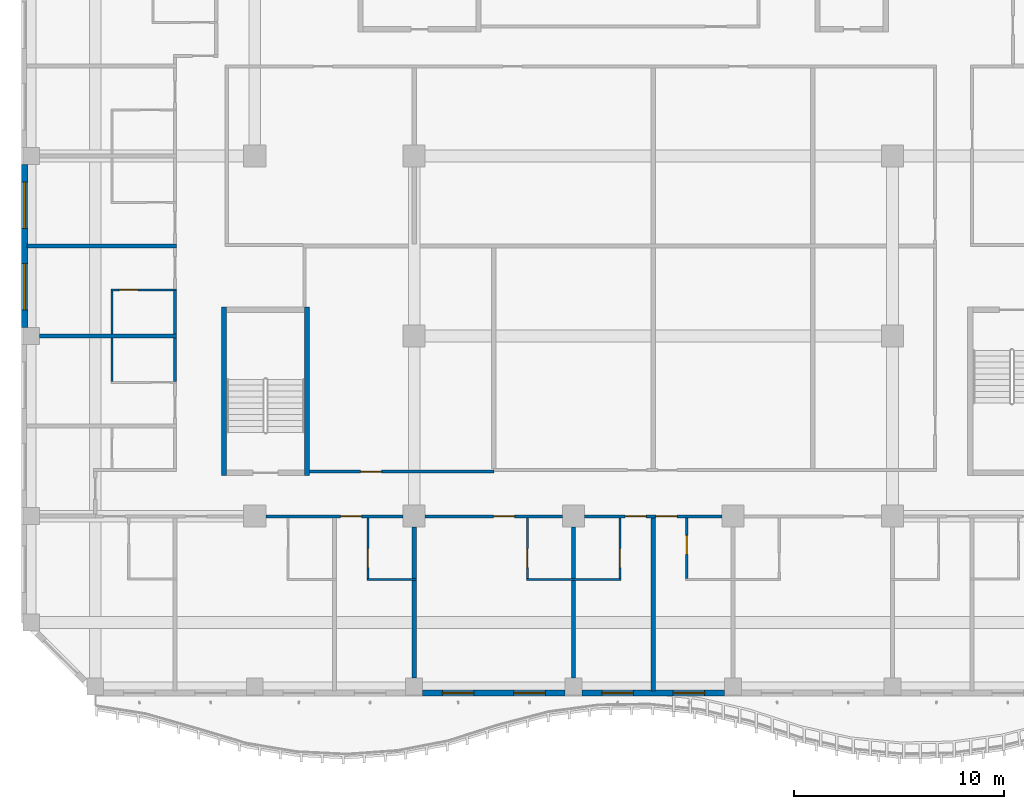
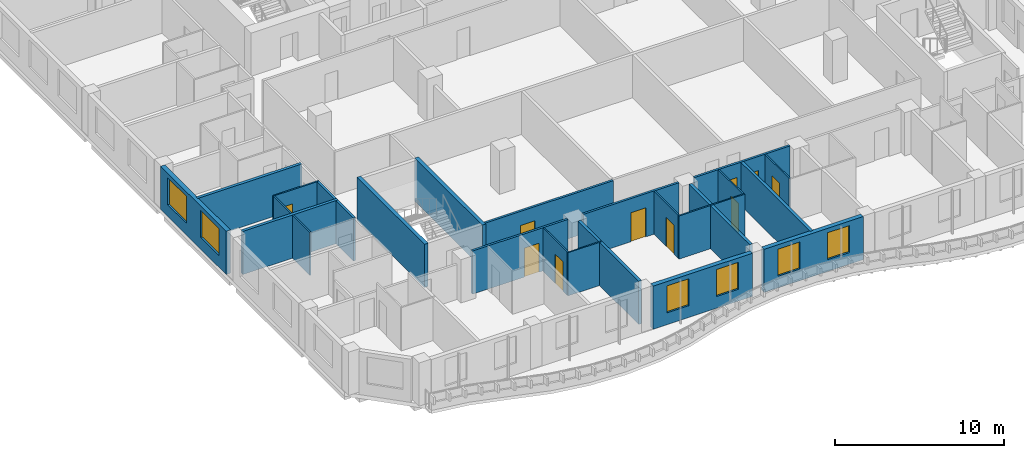
# One storey, part 3 of 21: 27 walls, 10 doors, 6 windows, 16 openings.
"""IFC4 building model written with IfcOpenShell, lengths in metres."""

from ifc_helpers import new_model, si_unit, direction, frame, frame_2d, origin, place, context, subcontext, project, spatial, rectangle, extrude, source, transform, mapped, material, layer, layer_set, type_object, element, fill, save


model = new_model("IFC4")

# Units and contexts
model_context = context("Model", 3, precision=1e-05, world=origin(), true_north=direction((0.0, 1.0)))
body_context = subcontext(model_context, "Body", "Model", "MODEL_VIEW")
ifc_project = project(units=[si_unit("LENGTHUNIT", "METRE"), si_unit("AREAUNIT", "SQUARE_METRE"), si_unit("VOLUMEUNIT", "CUBIC_METRE"), si_unit("PLANEANGLEUNIT", "RADIAN"), si_unit("MASSUNIT", "GRAM", prefix="KILO")], contexts=[model_context])

# Site, building, storey
site_placement = place(None, origin())
site = spatial("IfcSite", under=ifc_project, at=site_placement, CompositionType="ELEMENT")
building_placement = place(site_placement, origin())
building = spatial("IfcBuilding", under=site, at=building_placement, Name="Kilnfold Tower and Market Hall", CompositionType="ELEMENT")
storey_placement = place(building_placement, frame((0.0, 0.0, 185.5)))
storey = spatial("IfcBuildingStorey", under=building, at=storey_placement, Name="L44", CompositionType="ELEMENT", Elevation=185.5)

# Wall, opening, door
ifc_material_1 = material(Name="Gypsum board on steel studs", Category="steel")
ifc_layer_1 = layer(ifc_material_1, 0.14990234375)
ifc_layer_set_1 = layer_set([ifc_layer_1], Name="Gypsum board on steel studs")
wall_type_1 = type_object("IfcWallType", Name="WALL CORRIDOR 150", PredefinedType="PARTITIONING", material=ifc_layer_set_1)
wall_1_placement = place(storey_placement, frame((-15.64208984375, -17.699951171875, 0.0), z_axis=(0.0, 0.0, 1.0), x_axis=(1.0, 0.0, 0.0)))
wall_1 = element("IfcWall", 1, at=wall_1_placement, inside=storey, type_object=wall_type_1, Name="Partition LY27.2", PredefinedType="PARTITIONING", context=body_context, shape_type="SweptSolid", body=[
    extrude(rectangle(XDim=6.5341796875, YDim=0.14990234375, at=frame_2d((3.26708984375, 0.0))), origin(), (0.0, 0.0, 1.0), 3.1201171875),
])
opening_1_placement = place(wall_1_placement, frame((3.56298828125, 0.0, 0.0)))
opening_1 = element("IfcOpeningElement", 2, at=opening_1_placement, cuts=wall_1, Name="Opening D1", PredefinedType="OPENING", context=body_context, shape_type="SweptSolid", body=[
    extrude(rectangle(XDim=1.0, YDim=2.10009765625, at=frame_2d((0.5, 1.050048828125))), frame((0.0, 0.0849609375, 0.0), z_axis=(0.0, -1.0, 0.0), x_axis=(1.0, 0.0, 0.0)), (0.0, 0.0, 1.0), 0.169921875),
])
ifc_material_2 = material(Name="Timber veneer door leaf in steel frame", Category="steel")
door_type_1 = type_object("IfcDoorType", Name="DOOR ENTRY 1000 X2100", OperationType="NOTDEFINED", PredefinedType="DOOR", material=ifc_material_2)
door_1_placement = place(opening_1_placement, origin())
door_1 = element("IfcDoor", 3, at=door_1_placement, inside=storey, type_object=door_type_1, Name="Door D1", OperationType="SINGLE_SWING_RIGHT", OverallHeight=2.10009765625, OverallWidth=1.0, PredefinedType="DOOR", context=body_context, shape_type="SweptSolid", body=[
    extrude(rectangle(XDim=1.0, YDim=2.10009765625, at=frame_2d((0.5, 1.050048828125))), frame((0.0, 0.02490234375, 0.0), z_axis=(0.0, -1.0, 0.0), x_axis=(1.0, 0.0, 0.0)), (0.0, 0.0, 1.0), 0.050048828125),
])
fill(opening_1, door_1)

wall_2_placement = place(storey_placement, frame((-8.05810546875, -17.699951171875, 0.0), z_axis=(0.0, 0.0, 1.0), x_axis=(1.0, 0.0, 0.0)))
wall_2 = element("IfcWall", 4, at=wall_2_placement, inside=storey, type_object=wall_type_1, Name="Partition LY27.3", PredefinedType="PARTITIONING", context=body_context, shape_type="SweptSolid", body=[
    extrude(rectangle(XDim=6.533203125, YDim=0.14990234375, at=frame_2d((3.2666015625, 0.0))), origin(), (0.0, 0.0, 1.0), 3.1201171875),
])
opening_2_placement = place(wall_2_placement, frame((3.260009765625, 0.0, 0.0)))
opening_2 = element("IfcOpeningElement", 5, at=opening_2_placement, cuts=wall_2, Name="Opening D1", PredefinedType="OPENING", context=body_context, shape_type="SweptSolid", body=[
    extrude(rectangle(XDim=1.0, YDim=2.10009765625, at=frame_2d((0.5, 1.050048828125))), frame((0.0, 0.0849609375, 0.0), z_axis=(0.0, -1.0, 0.0), x_axis=(1.0, 0.0, 0.0)), (0.0, 0.0, 1.0), 0.169921875),
])
door_2_placement = place(opening_2_placement, origin())
door_2 = element("IfcDoor", 6, at=door_2_placement, inside=storey, type_object=door_type_1, Name="Door D1", OperationType="SINGLE_SWING_LEFT", OverallHeight=2.10009765625, OverallWidth=1.0, PredefinedType="DOOR", context=body_context, shape_type="SweptSolid", body=[
    extrude(rectangle(XDim=1.0, YDim=2.10009765625, at=frame_2d((0.5, 1.050048828125))), frame((0.0, 0.02490234375, 0.0), z_axis=(0.0, -1.0, 0.0), x_axis=(1.0, 0.0, 0.0)), (0.0, 0.0, 1.0), 0.050048828125),
])
fill(opening_2, door_2)

# Wall, openings, doors
wall_3_placement = place(storey_placement, frame((-0.47509765625, -17.699951171875, 0.0), z_axis=(0.0, 0.0, 1.0), x_axis=(1.0, 0.0, 0.0)))
wall_3 = element("IfcWall", 7, at=wall_3_placement, inside=storey, type_object=wall_type_1, Name="Partition LY27.4", PredefinedType="PARTITIONING", context=body_context, shape_type="SweptSolid", body=[
    extrude(rectangle(XDim=6.533203125, YDim=0.14990234375, at=frame_2d((3.2666015625, 0.0))), origin(), (0.0, 0.0, 1.0), 3.1201171875),
])
opening_3_placement = place(wall_3_placement, frame((1.926025390625, 0.0, 0.0)))
opening_3 = element("IfcOpeningElement", 8, at=opening_3_placement, cuts=wall_3, Name="Opening D1", PredefinedType="OPENING", context=body_context, shape_type="SweptSolid", body=[
    extrude(rectangle(XDim=1.0, YDim=2.10009765625, at=frame_2d((0.5, 1.050048828125))), frame((0.0, 0.0849609375, 0.0), z_axis=(0.0, -1.0, 0.0), x_axis=(1.0, 0.0, 0.0)), (0.0, 0.0, 1.0), 0.169921875),
])
opening_4_placement = place(wall_3_placement, frame((3.386962890625, 0.0, 0.0)))
opening_4 = element("IfcOpeningElement", 9, at=opening_4_placement, cuts=wall_3, Name="Opening D1", PredefinedType="OPENING", context=body_context, shape_type="SweptSolid", body=[
    extrude(rectangle(XDim=1.0, YDim=2.10009765625, at=frame_2d((0.5, 1.050048828125))), frame((0.0, 0.0849609375, 0.0), z_axis=(0.0, -1.0, 0.0), x_axis=(1.0, 0.0, 0.0)), (0.0, 0.0, 1.0), 0.169921875),
])
door_3_placement = place(opening_3_placement, origin())
door_3 = element("IfcDoor", 10, at=door_3_placement, inside=storey, type_object=door_type_1, Name="Door D1", OperationType="SINGLE_SWING_RIGHT", OverallHeight=2.10009765625, OverallWidth=1.0, PredefinedType="DOOR", context=body_context, shape_type="SweptSolid", body=[
    extrude(rectangle(XDim=1.0, YDim=2.10009765625, at=frame_2d((0.5, 1.050048828125))), frame((0.0, 0.02490234375, 0.0), z_axis=(0.0, -1.0, 0.0), x_axis=(1.0, 0.0, 0.0)), (0.0, 0.0, 1.0), 0.050048828125),
])
fill(opening_3, door_3)
door_4_placement = place(opening_4_placement, origin())
door_4 = element("IfcDoor", 11, at=door_4_placement, inside=storey, type_object=door_type_1, Name="Door D1", OperationType="SINGLE_SWING_LEFT", OverallHeight=2.10009765625, OverallWidth=1.0, PredefinedType="DOOR", context=body_context, shape_type="SweptSolid", body=[
    extrude(rectangle(XDim=1.0, YDim=2.10009765625, at=frame_2d((0.5, 1.050048828125))), frame((0.0, 0.02490234375, 0.0), z_axis=(0.0, -1.0, 0.0), x_axis=(1.0, 0.0, 0.0)), (0.0, 0.0, 1.0), 0.050048828125),
])
fill(opening_4, door_4)

# Walls
for number, where, z_axis, x_axis, name in (
    (12, (-19.958984375, -11.284912109375, 0.0), (0.0, 0.0, 1.0), (0.0, 1.0, 0.0), "Partition LY27.11"),
    (13, (-19.958984375, -9.034912109375, 0.0), (0.0, 0.0, 1.0), (0.0, 1.0, 0.0), "Partition LY27.13"),
):
    element("IfcWall", number, at=place(storey_placement, frame(where, z_axis=z_axis, x_axis=x_axis)), inside=storey, type_object=wall_type_1, Name=name, PredefinedType="PARTITIONING", context=body_context, shape_type="SweptSolid", body=[
        extrude(rectangle(XDim=2.06982421875, YDim=0.14990234375, at=frame_2d((1.034912109375, 0.0))), origin(), (0.0, 0.0, 1.0), 3.1201171875),
    ])

# Wall, opening, door
wall_4_placement = place(storey_placement, frame((-4.781982421875, -15.574951171875, 0.0), z_axis=(0.0, 0.0, 1.0), x_axis=(-1.0, 0.0, 0.0)))
wall_4 = element("IfcWall", 14, at=wall_4_placement, inside=storey, type_object=wall_type_1, Name="Partition LY27.47", PredefinedType="PARTITIONING", context=body_context, shape_type="SweptSolid", body=[
    extrude(rectangle(XDim=8.76806640625, YDim=0.14990234375, at=frame_2d((4.384033203125, 0.0))), origin(), (0.0, 0.0, 1.0), 3.1201171875),
])
opening_5_placement = place(wall_4_placement, frame((5.347900390625, 0.0, 0.0)))
opening_5 = element("IfcOpeningElement", 15, at=opening_5_placement, cuts=wall_4, Name="Opening D4", PredefinedType="OPENING", context=body_context, shape_type="SweptSolid", body=[
    extrude(rectangle(XDim=1.0, YDim=2.10009765625, at=frame_2d((0.5, 1.050048828125))), frame((0.0, 0.0849609375, 0.0), z_axis=(0.0, -1.0, 0.0), x_axis=(1.0, 0.0, 0.0)), (0.0, 0.0, 1.0), 0.169921875),
])
ifc_material_3 = material(Name="Timber veneer door leaf in steel frame", Category="steel")
door_type_2 = type_object("IfcDoorType", Name="DOOR SERVICE 1000 X2100", OperationType="NOTDEFINED", PredefinedType="DOOR", material=ifc_material_3)
door_5_placement = place(opening_5_placement, origin())
door_5 = element("IfcDoor", 16, at=door_5_placement, inside=storey, type_object=door_type_2, Name="Door D4", OperationType="SINGLE_SWING_RIGHT", OverallHeight=2.10009765625, OverallWidth=1.0, PredefinedType="DOOR", context=body_context, shape_type="SweptSolid", body=[
    extrude(rectangle(XDim=1.0, YDim=2.10009765625, at=frame_2d((0.5, 1.050048828125))), frame((0.0, 0.02490234375, 0.0), z_axis=(0.0, -1.0, 0.0), x_axis=(1.0, 0.0, 0.0)), (0.0, 0.0, 1.0), 0.050048828125),
])
fill(opening_5, door_5)

ifc_material_4 = material(Name="Gypsum board on steel studs", Category="steel")
ifc_layer_2 = layer(ifc_material_4, 0.10009765625)
ifc_layer_set_2 = layer_set([ifc_layer_2], Name="Gypsum board on steel studs")
wall_type_2 = type_object("IfcWallType", Name="WALL PARTITION 100", PredefinedType="PARTITIONING", material=ifc_layer_set_2)
wall_5_placement = place(storey_placement, frame((-10.782958984375, -20.652099609375, 0.0), z_axis=(0.0, 0.0, 1.0), x_axis=(0.0, 1.0, 0.0)))
wall_5 = element("IfcWall", 17, at=wall_5_placement, inside=storey, type_object=wall_type_2, Name="Partition LY27.59", PredefinedType="PARTITIONING", context=body_context, shape_type="SweptSolid", body=[
    extrude(rectangle(XDim=2.875, YDim=0.10009765625, at=frame_2d((1.4375, 0.0))), origin(), (0.0, 0.0, 1.0), 3.1201171875),
])
opening_6_placement = place(wall_5_placement, frame((0.514892578125, 0.0, 0.0)))
opening_6 = element("IfcOpeningElement", 18, at=opening_6_placement, cuts=wall_5, Name="Opening D3", PredefinedType="OPENING", context=body_context, shape_type="SweptSolid", body=[
    extrude(rectangle(XDim=0.89990234375, YDim=2.10009765625, at=frame_2d((0.449951171875, 1.050048828125))), frame((0.0, 0.06005859375, 0.0), z_axis=(0.0, -1.0, 0.0), x_axis=(1.0, 0.0, 0.0)), (0.0, 0.0, 1.0), 0.1201171875),
])
ifc_material_5 = material(Name="Timber veneer door leaf in steel frame", Category="steel")
door_type_3 = type_object("IfcDoorType", Name="DOOR WC 900 X2100", OperationType="NOTDEFINED", PredefinedType="DOOR", material=ifc_material_5)
door_6_placement = place(opening_6_placement, origin())
door_6 = element("IfcDoor", 19, at=door_6_placement, inside=storey, type_object=door_type_3, Name="Door D3", OperationType="SINGLE_SWING_RIGHT", OverallHeight=2.10009765625, OverallWidth=0.89990234375, PredefinedType="DOOR", context=body_context, shape_type="SweptSolid", body=[
    extrude(rectangle(XDim=0.89990234375, YDim=2.10009765625, at=frame_2d((0.449951171875, 1.050048828125))), frame((0.0, 0.02490234375, 0.0), z_axis=(0.0, -1.0, 0.0), x_axis=(1.0, 0.0, 0.0)), (0.0, 0.0, 1.0), 0.050048828125),
])
fill(opening_6, door_6)

# Wall
wall_6_placement = place(storey_placement, frame((-10.8330078125, -20.701904296875, 0.0), z_axis=(0.0, 0.0, 1.0), x_axis=(1.0, 0.0, 0.0)))
element("IfcWall", 20, at=wall_6_placement, inside=storey, type_object=wall_type_2, Name="Partition LY27.60", PredefinedType="PARTITIONING", context=body_context, shape_type="SweptSolid", body=[
    extrude(rectangle(XDim=2.35009765625, YDim=0.10009765625, at=frame_2d((1.175048828125, 0.0))), origin(), (0.0, 0.0, 1.0), 3.1201171875),
])

# Wall, opening, door
wall_7_placement = place(storey_placement, frame((-3.199951171875, -20.652099609375, 0.0), z_axis=(0.0, 0.0, 1.0), x_axis=(0.0, 1.0, 0.0)))
wall_7 = element("IfcWall", 21, at=wall_7_placement, inside=storey, type_object=wall_type_2, Name="Partition LY27.63", PredefinedType="PARTITIONING", context=body_context, shape_type="SweptSolid", body=[
    extrude(rectangle(XDim=2.875, YDim=0.10009765625, at=frame_2d((1.4375, 0.0))), origin(), (0.0, 0.0, 1.0), 3.1201171875),
])
opening_7_placement = place(wall_7_placement, frame((0.514892578125, 0.0, 0.0)))
opening_7 = element("IfcOpeningElement", 22, at=opening_7_placement, cuts=wall_7, Name="Opening D3", PredefinedType="OPENING", context=body_context, shape_type="SweptSolid", body=[
    extrude(rectangle(XDim=0.89990234375, YDim=2.10009765625, at=frame_2d((0.449951171875, 1.050048828125))), frame((0.0, 0.06005859375, 0.0), z_axis=(0.0, -1.0, 0.0), x_axis=(1.0, 0.0, 0.0)), (0.0, 0.0, 1.0), 0.1201171875),
])
door_7_placement = place(opening_7_placement, origin())
door_7 = element("IfcDoor", 23, at=door_7_placement, inside=storey, type_object=door_type_3, Name="Door D3", OperationType="SINGLE_SWING_RIGHT", OverallHeight=2.10009765625, OverallWidth=0.89990234375, PredefinedType="DOOR", context=body_context, shape_type="SweptSolid", body=[
    extrude(rectangle(XDim=0.89990234375, YDim=2.10009765625, at=frame_2d((0.449951171875, 1.050048828125))), frame((0.0, 0.02490234375, 0.0), z_axis=(0.0, -1.0, 0.0), x_axis=(1.0, 0.0, 0.0)), (0.0, 0.0, 1.0), 0.050048828125),
])
fill(opening_7, door_7)

# Wall
wall_8_placement = place(storey_placement, frame((-3.25, -20.701904296875, 0.0), z_axis=(0.0, 0.0, 1.0), x_axis=(1.0, 0.0, 0.0)))
element("IfcWall", 24, at=wall_8_placement, inside=storey, type_object=wall_type_2, Name="Partition LY27.64", PredefinedType="PARTITIONING", context=body_context, shape_type="SweptSolid", body=[
    extrude(rectangle(XDim=4.5, YDim=0.10009765625, at=frame_2d((2.25, 0.0))), origin(), (0.0, 0.0, 1.0), 3.1201171875),
])

# Wall, opening, door
wall_9_placement = place(storey_placement, frame((1.199951171875, -17.777099609375, 0.0), z_axis=(0.0, 0.0, 1.0), x_axis=(0.0, -1.0, 0.0)))
wall_9 = element("IfcWall", 25, at=wall_9_placement, inside=storey, type_object=wall_type_2, Name="Partition LY27.67", PredefinedType="PARTITIONING", context=body_context, shape_type="SweptSolid", body=[
    extrude(rectangle(XDim=2.875, YDim=0.10009765625, at=frame_2d((1.4375, 0.0))), origin(), (0.0, 0.0, 1.0), 3.1201171875),
])
opening_8_placement = place(wall_9_placement, frame((1.4599609375, 0.0, 0.0)))
opening_8 = element("IfcOpeningElement", 26, at=opening_8_placement, cuts=wall_9, Name="Opening D3", PredefinedType="OPENING", context=body_context, shape_type="SweptSolid", body=[
    extrude(rectangle(XDim=0.89990234375, YDim=2.10009765625, at=frame_2d((0.449951171875, 1.050048828125))), frame((0.0, 0.06005859375, 0.0), z_axis=(0.0, -1.0, 0.0), x_axis=(1.0, 0.0, 0.0)), (0.0, 0.0, 1.0), 0.1201171875),
])
door_8_placement = place(opening_8_placement, origin())
door_8 = element("IfcDoor", 27, at=door_8_placement, inside=storey, type_object=door_type_3, Name="Door D3", OperationType="SINGLE_SWING_LEFT", OverallHeight=2.10009765625, OverallWidth=0.89990234375, PredefinedType="DOOR", context=body_context, shape_type="SweptSolid", body=[
    extrude(rectangle(XDim=0.89990234375, YDim=2.10009765625, at=frame_2d((0.449951171875, 1.050048828125))), frame((0.0, 0.02490234375, 0.0), z_axis=(0.0, -1.0, 0.0), x_axis=(1.0, 0.0, 0.0)), (0.0, 0.0, 1.0), 0.050048828125),
])
fill(opening_8, door_8)

wall_10_placement = place(storey_placement, frame((4.383056640625, -20.652099609375, 0.0), z_axis=(0.0, 0.0, 1.0), x_axis=(0.0, 1.0, 0.0)))
wall_10 = element("IfcWall", 28, at=wall_10_placement, inside=storey, type_object=wall_type_2, Name="Partition LY27.69", PredefinedType="PARTITIONING", context=body_context, shape_type="SweptSolid", body=[
    extrude(rectangle(XDim=2.875, YDim=0.10009765625, at=frame_2d((1.4375, 0.0))), origin(), (0.0, 0.0, 1.0), 3.1201171875),
])
opening_9_placement = place(wall_10_placement, frame((1.14501953125, 0.0, 0.0)))
opening_9 = element("IfcOpeningElement", 29, at=opening_9_placement, cuts=wall_10, Name="Opening D3", PredefinedType="OPENING", context=body_context, shape_type="SweptSolid", body=[
    extrude(rectangle(XDim=0.89990234375, YDim=2.10009765625, at=frame_2d((0.449951171875, 1.050048828125))), frame((0.0, 0.06005859375, 0.0), z_axis=(0.0, -1.0, 0.0), x_axis=(1.0, 0.0, 0.0)), (0.0, 0.0, 1.0), 0.1201171875),
])
door_9_placement = place(opening_9_placement, origin())
door_9 = element("IfcDoor", 30, at=door_9_placement, inside=storey, type_object=door_type_3, Name="Door D3", OperationType="SINGLE_SWING_RIGHT", OverallHeight=2.10009765625, OverallWidth=0.89990234375, PredefinedType="DOOR", context=body_context, shape_type="SweptSolid", body=[
    extrude(rectangle(XDim=0.89990234375, YDim=2.10009765625, at=frame_2d((0.449951171875, 1.050048828125))), frame((0.0, 0.02490234375, 0.0), z_axis=(0.0, -1.0, 0.0), x_axis=(1.0, 0.0, 0.0)), (0.0, 0.0, 1.0), 0.050048828125),
])
fill(opening_9, door_9)

# Wall
wall_11_placement = place(storey_placement, frame((-22.9609375, -11.27490234375, 0.0), z_axis=(0.0, 0.0, 1.0), x_axis=(0.0, 1.0, 0.0)))
element("IfcWall", 31, at=wall_11_placement, inside=storey, type_object=wall_type_2, Name="Partition LY27.86", PredefinedType="PARTITIONING", context=body_context, shape_type="SweptSolid", body=[
    extrude(rectangle(XDim=2.0498046875, YDim=0.10009765625, at=frame_2d((1.02490234375, 0.0))), origin(), (0.0, 0.0, 1.0), 3.1201171875),
])

# Wall, opening, door
wall_12_placement = place(storey_placement, frame((-23.010986328125, -6.925048828125, 0.0), z_axis=(0.0, 0.0, 1.0), x_axis=(1.0, 0.0, 0.0)))
wall_12 = element("IfcWall", 32, at=wall_12_placement, inside=storey, type_object=wall_type_2, Name="Partition LY27.88", PredefinedType="PARTITIONING", context=body_context, shape_type="SweptSolid", body=[
    extrude(rectangle(XDim=3.125, YDim=0.10009765625, at=frame_2d((1.5625, 0.0))), origin(), (0.0, 0.0, 1.0), 3.1201171875),
])
opening_10_placement = place(wall_12_placement, frame((0.403076171875, 0.0, 0.0)))
opening_10 = element("IfcOpeningElement", 33, at=opening_10_placement, cuts=wall_12, Name="Opening D3", PredefinedType="OPENING", context=body_context, shape_type="SweptSolid", body=[
    extrude(rectangle(XDim=0.89990234375, YDim=2.10009765625, at=frame_2d((0.449951171875, 1.050048828125))), frame((0.0, 0.06005859375, 0.0), z_axis=(0.0, -1.0, 0.0), x_axis=(1.0, 0.0, 0.0)), (0.0, 0.0, 1.0), 0.1201171875),
])
door_10_placement = place(opening_10_placement, origin())
door_10 = element("IfcDoor", 34, at=door_10_placement, inside=storey, type_object=door_type_3, Name="Door D3", OperationType="SINGLE_SWING_LEFT", OverallHeight=2.10009765625, OverallWidth=0.89990234375, PredefinedType="DOOR", context=body_context, shape_type="SweptSolid", body=[
    extrude(rectangle(XDim=0.89990234375, YDim=2.10009765625, at=frame_2d((0.449951171875, 1.050048828125))), frame((0.0, 0.02490234375, 0.0), z_axis=(0.0, -1.0, 0.0), x_axis=(1.0, 0.0, 0.0)), (0.0, 0.0, 1.0), 0.050048828125),
])
fill(opening_10, door_10)

# Walls
wall_13_placement = place(storey_placement, frame((-22.9609375, -9.02490234375, 0.0), z_axis=(0.0, 0.0, 1.0), x_axis=(0.0, 1.0, 0.0)))
element("IfcWall", 35, at=wall_13_placement, inside=storey, type_object=wall_type_2, Name="Partition LY27.89", PredefinedType="PARTITIONING", context=body_context, shape_type="SweptSolid", body=[
    extrude(rectangle(XDim=2.0498046875, YDim=0.10009765625, at=frame_2d((1.02490234375, 0.0))), origin(), (0.0, 0.0, 1.0), 3.1201171875),
])
ifc_material_6 = material(Name="Gypsum board on steel studs", Category="steel")
ifc_layer_3 = layer(ifc_material_6, 0.199951171875)
ifc_layer_set_3 = layer_set([ifc_layer_3], Name="Gypsum board on steel studs")
wall_type_3 = type_object("IfcWallType", Name="WALL PARTY 200", PredefinedType="PARTITIONING", material=ifc_layer_set_3)
wall_14_placement = place(storey_placement, frame((-8.5830078125, -25.39990234375, 0.0), z_axis=(0.0, 0.0, 1.0), x_axis=(0.0, 1.0, 0.0)))
element("IfcWall", 36, at=wall_14_placement, inside=storey, type_object=wall_type_3, Name="Partition LY27.61", PredefinedType="PARTITIONING", context=body_context, shape_type="SweptSolid", body=[
    extrude(rectangle(XDim=4.64794921875, YDim=0.199951171875, at=frame_2d((2.323974609375, 0.0))), origin(), (0.0, 0.0, 1.0), 3.1201171875),
])
wall_15_placement = place(storey_placement, frame((-8.5830078125, -20.652099609375, 0.0), z_axis=(0.0, 0.0, 1.0), x_axis=(0.0, 1.0, 0.0)))
element("IfcWall", 37, at=wall_15_placement, inside=storey, type_object=wall_type_3, Name="Partition LY27.62", PredefinedType="PARTITIONING", context=body_context, shape_type="SweptSolid", body=[
    extrude(rectangle(XDim=2.440185546875, YDim=0.199951171875, at=frame_2d((1.22021484375, 0.0))), origin(), (0.0, 0.0, 1.0), 3.1201171875),
])
wall_16_placement = place(storey_placement, frame((-1.0, -25.39990234375, 0.0), z_axis=(0.0, 0.0, 1.0), x_axis=(0.0, 1.0, 0.0)))
element("IfcWall", 38, at=wall_16_placement, inside=storey, type_object=wall_type_3, Name="Partition LY27.65", PredefinedType="PARTITIONING", context=body_context, shape_type="SweptSolid", body=[
    extrude(rectangle(XDim=4.64794921875, YDim=0.199951171875, at=frame_2d((2.323974609375, 0.0))), origin(), (0.0, 0.0, 1.0), 3.1201171875),
])
wall_17_placement = place(storey_placement, frame((-1.0, -20.652099609375, 0.0), z_axis=(0.0, 0.0, 1.0), x_axis=(0.0, 1.0, 0.0)))
element("IfcWall", 39, at=wall_17_placement, inside=storey, type_object=wall_type_3, Name="Partition LY27.66", PredefinedType="PARTITIONING", context=body_context, shape_type="SweptSolid", body=[
    extrude(rectangle(XDim=2.440185546875, YDim=0.199951171875, at=frame_2d((1.22021484375, 0.0))), origin(), (0.0, 0.0, 1.0), 3.1201171875),
])
wall_18_placement = place(storey_placement, frame((2.7919921875, -26.0, 0.0), z_axis=(0.0, 0.0, 1.0), x_axis=(0.0, 1.0, 0.0)))
element("IfcWall", 40, at=wall_18_placement, inside=storey, type_object=wall_type_3, Name="Partition LY27.68", PredefinedType="PARTITIONING", context=body_context, shape_type="SweptSolid", body=[
    extrude(rectangle(XDim=8.222900390625, YDim=0.199951171875, at=frame_2d((4.111328125, 0.0))), origin(), (0.0, 0.0, 1.0), 3.1201171875),
])
wall_19_placement = place(storey_placement, frame((-26.39990234375, -9.125, 0.0), z_axis=(0.0, 0.0, 1.0), x_axis=(1.0, 0.0, 0.0)))
element("IfcWall", 41, at=wall_19_placement, inside=storey, type_object=wall_type_3, Name="Partition LY27.87", PredefinedType="PARTITIONING", context=body_context, shape_type="SweptSolid", body=[
    extrude(rectangle(XDim=6.513916015625, YDim=0.199951171875, at=frame_2d((3.2568359375, 0.0))), origin(), (0.0, 0.0, 1.0), 3.1201171875),
])
wall_20_placement = place(storey_placement, frame((-27.0, -4.843017578125, 0.0), z_axis=(0.0, 0.0, 1.0), x_axis=(1.0, 0.0, 0.0)))
element("IfcWall", 42, at=wall_20_placement, inside=storey, type_object=wall_type_3, Name="Partition LY27.90", PredefinedType="PARTITIONING", context=body_context, shape_type="SweptSolid", body=[
    extrude(rectangle(XDim=7.114013671875, YDim=0.199951171875, at=frame_2d((3.55712890625, 0.0))), origin(), (0.0, 0.0, 1.0), 3.1201171875),
])
ifc_material_7 = material(Name="Concrete C60", Category="concrete")
ifc_layer_4 = layer(ifc_material_7, 0.25)
ifc_layer_set_4 = layer_set([ifc_layer_4], Name="Concrete C60")
wall_type_4 = type_object("IfcWallType", Name="CORE WALL 250 C60", PredefinedType="SHEAR", material=ifc_layer_set_4)
shared_shape_1 = source(origin(), body_context, "Body", "SweptSolid", [
    extrude(rectangle(XDim=8.0, YDim=0.25, at=frame_2d((4.0, 0.0))), origin(), (0.0, 0.0, 1.0), 3.1201171875),
])
for number, where, z_axis, x_axis, name in (
    (43, (-17.625, -15.75, 0.0), (0.0, 0.0, 1.0), (0.0, 1.0, 0.0), "Stair enclosure ST3"),
    (44, (-13.675048828125, -15.75, 0.0), (0.0, 0.0, 1.0), (0.0, 1.0, 0.0), "Stair enclosure ST3"),
):
    element("IfcWall", number, at=place(storey_placement, frame(where, z_axis=z_axis, x_axis=x_axis)), inside=storey, type_object=wall_type_4, Name=name, PredefinedType="SHEAR", context=body_context, shape_type="MappedRepresentation", body=[
        mapped(shared_shape_1, transform((0.0, 0.0, 0.0))),
    ])

# Wall, openings, windows
ifc_material_8 = material(Name="Precast concrete C50/60", Category="concrete")
ifc_layer_5 = layer(ifc_material_8, 0.300048828125)
ifc_layer_set_5 = layer_set([ifc_layer_5], Name="Precast concrete C50/60")
wall_type_5 = type_object("IfcWallType", Name="PRECAST WALL 300", PredefinedType="SOLIDWALL", material=ifc_layer_set_5)
shared_shape_2 = source(origin(), body_context, "Body", "SweptSolid", [
    extrude(rectangle(XDim=6.783447265625, YDim=0.300048828125, at=frame_2d((3.3916015625, 0.0))), origin(), (0.0, 0.0, 1.0), 3.1201171875),
])
wall_21_placement = place(storey_placement, frame((-8.183349609375, -26.10009765625, 0.0), z_axis=(0.0, 0.0, 1.0), x_axis=(1.0, 0.0, 0.0)))
wall_21 = element("IfcWall", 45, at=wall_21_placement, inside=storey, type_object=wall_type_5, Name="External wall L44 S", PredefinedType="SOLIDWALL", context=body_context, shape_type="MappedRepresentation", body=[
    mapped(shared_shape_2, transform((0.0, 0.0, 0.0))),
])
opening_11_placement = place(wall_21_placement, frame((0.94580078125, 0.0, 0.85009765625)))
opening_11 = element("IfcOpeningElement", 46, at=opening_11_placement, cuts=wall_21, Name="Opening W4", PredefinedType="OPENING", context=body_context, shape_type="SweptSolid", body=[
    extrude(rectangle(XDim=1.5, YDim=1.949951171875, at=frame_2d((0.75, 0.97509765625))), frame((0.0, 0.16015625, 0.0), z_axis=(0.0, -1.0, 0.0), x_axis=(1.0, 0.0, 0.0)), (0.0, 0.0, 1.0), 0.320068359375),
])
opening_12_placement = place(wall_21_placement, frame((4.33740234375, 0.0, 0.85009765625)))
opening_12 = element("IfcOpeningElement", 47, at=opening_12_placement, cuts=wall_21, Name="Opening W4", PredefinedType="OPENING", context=body_context, shape_type="SweptSolid", body=[
    extrude(rectangle(XDim=1.5, YDim=1.949951171875, at=frame_2d((0.75, 0.97509765625))), frame((0.0, 0.16015625, 0.0), z_axis=(0.0, -1.0, 0.0), x_axis=(1.0, 0.0, 0.0)), (0.0, 0.0, 1.0), 0.320068359375),
])
ifc_material_9 = material(Name="Aluminium frame and double glazing", Category="aluminium")
window_type_1 = type_object("IfcWindowType", Name="WINDOW W4 1500X1950", PartitioningType="SINGLE_PANEL", PredefinedType="WINDOW", material=ifc_material_9)
window_1_placement = place(opening_11_placement, origin())
window_1 = element("IfcWindow", 48, at=window_1_placement, inside=storey, type_object=window_type_1, Name="Window W4 L44 S-1", OverallHeight=1.949951171875, OverallWidth=1.5, PartitioningType="SINGLE_PANEL", PredefinedType="WINDOW", context=body_context, shape_type="SweptSolid", body=[
    extrude(rectangle(XDim=1.5, YDim=1.949951171875, at=frame_2d((0.75, 0.97509765625))), frame((0.0, 0.030029296875, 0.0), z_axis=(0.0, -1.0, 0.0), x_axis=(1.0, 0.0, 0.0)), (0.0, 0.0, 1.0), 0.06005859375),
])
fill(opening_11, window_1)
window_2_placement = place(opening_12_placement, origin())
window_2 = element("IfcWindow", 49, at=window_2_placement, inside=storey, type_object=window_type_1, Name="Window W4 L44 S-2", OverallHeight=1.949951171875, OverallWidth=1.5, PartitioningType="SINGLE_PANEL", PredefinedType="WINDOW", context=body_context, shape_type="SweptSolid", body=[
    extrude(rectangle(XDim=1.5, YDim=1.949951171875, at=frame_2d((0.75, 0.97509765625))), frame((0.0, 0.030029296875, 0.0), z_axis=(0.0, -1.0, 0.0), x_axis=(1.0, 0.0, 0.0)), (0.0, 0.0, 1.0), 0.06005859375),
])
fill(opening_12, window_2)

wall_22_placement = place(storey_placement, frame((-0.60009765625, -26.10009765625, 0.0), z_axis=(0.0, 0.0, 1.0), x_axis=(1.0, 0.0, 0.0)))
wall_22 = element("IfcWall", 50, at=wall_22_placement, inside=storey, type_object=wall_type_5, Name="External wall L44 S", PredefinedType="SOLIDWALL", context=body_context, shape_type="MappedRepresentation", body=[
    mapped(shared_shape_2, transform((0.0, 0.0, 0.0))),
])
opening_13_placement = place(wall_22_placement, frame((0.94580078125, 0.0, 0.85009765625)))
opening_13 = element("IfcOpeningElement", 51, at=opening_13_placement, cuts=wall_22, Name="Opening W4", PredefinedType="OPENING", context=body_context, shape_type="SweptSolid", body=[
    extrude(rectangle(XDim=1.5, YDim=1.949951171875, at=frame_2d((0.75, 0.97509765625))), frame((0.0, 0.16015625, 0.0), z_axis=(0.0, -1.0, 0.0), x_axis=(1.0, 0.0, 0.0)), (0.0, 0.0, 1.0), 0.320068359375),
])
opening_14_placement = place(wall_22_placement, frame((4.33740234375, 0.0, 0.85009765625)))
opening_14 = element("IfcOpeningElement", 52, at=opening_14_placement, cuts=wall_22, Name="Opening W4", PredefinedType="OPENING", context=body_context, shape_type="SweptSolid", body=[
    extrude(rectangle(XDim=1.5, YDim=1.949951171875, at=frame_2d((0.75, 0.97509765625))), frame((0.0, 0.16015625, 0.0), z_axis=(0.0, -1.0, 0.0), x_axis=(1.0, 0.0, 0.0)), (0.0, 0.0, 1.0), 0.320068359375),
])
window_3_placement = place(opening_13_placement, origin())
window_3 = element("IfcWindow", 53, at=window_3_placement, inside=storey, type_object=window_type_1, Name="Window W4 L44 S-1", OverallHeight=1.949951171875, OverallWidth=1.5, PartitioningType="SINGLE_PANEL", PredefinedType="WINDOW", context=body_context, shape_type="SweptSolid", body=[
    extrude(rectangle(XDim=1.5, YDim=1.949951171875, at=frame_2d((0.75, 0.97509765625))), frame((0.0, 0.030029296875, 0.0), z_axis=(0.0, -1.0, 0.0), x_axis=(1.0, 0.0, 0.0)), (0.0, 0.0, 1.0), 0.06005859375),
])
fill(opening_13, window_3)
window_4_placement = place(opening_14_placement, origin())
window_4 = element("IfcWindow", 54, at=window_4_placement, inside=storey, type_object=window_type_1, Name="Window W4 L44 S-2", OverallHeight=1.949951171875, OverallWidth=1.5, PartitioningType="SINGLE_PANEL", PredefinedType="WINDOW", context=body_context, shape_type="SweptSolid", body=[
    extrude(rectangle(XDim=1.5, YDim=1.949951171875, at=frame_2d((0.75, 0.97509765625))), frame((0.0, 0.030029296875, 0.0), z_axis=(0.0, -1.0, 0.0), x_axis=(1.0, 0.0, 0.0)), (0.0, 0.0, 1.0), 0.06005859375),
])
fill(opening_14, window_4)

shared_shape_3 = source(origin(), body_context, "Body", "SweptSolid", [
    extrude(rectangle(XDim=7.7626953125, YDim=0.300048828125, at=frame_2d((3.88134765625, 0.0))), origin(), (0.0, 0.0, 1.0), 3.1201171875),
])
wall_23_placement = place(storey_placement, frame((-27.10009765625, -0.96240234375, 0.0), z_axis=(0.0, 0.0, 1.0), x_axis=(0.0, -1.0, 0.0)))
wall_23 = element("IfcWall", 55, at=wall_23_placement, inside=storey, type_object=wall_type_5, Name="External wall L44 W", PredefinedType="SOLIDWALL", context=body_context, shape_type="MappedRepresentation", body=[
    mapped(shared_shape_3, transform((0.0, 0.0, 0.0))),
])
opening_15_placement = place(wall_23_placement, frame((0.8408203125, 0.0, 0.85009765625)))
opening_15 = element("IfcOpeningElement", 56, at=opening_15_placement, cuts=wall_23, Name="Opening W2", PredefinedType="OPENING", context=body_context, shape_type="SweptSolid", body=[
    extrude(rectangle(XDim=2.199951171875, YDim=1.949951171875, at=frame_2d((1.10009765625, 0.97509765625))), frame((0.0, 0.16015625, 0.0), z_axis=(0.0, -1.0, 0.0), x_axis=(1.0, 0.0, 0.0)), (0.0, 0.0, 1.0), 0.320068359375),
])
opening_16_placement = place(wall_23_placement, frame((4.721923828125, 0.0, 0.85009765625)))
opening_16 = element("IfcOpeningElement", 57, at=opening_16_placement, cuts=wall_23, Name="Opening W2", PredefinedType="OPENING", context=body_context, shape_type="SweptSolid", body=[
    extrude(rectangle(XDim=2.199951171875, YDim=1.949951171875, at=frame_2d((1.10009765625, 0.97509765625))), frame((0.0, 0.16015625, 0.0), z_axis=(0.0, -1.0, 0.0), x_axis=(1.0, 0.0, 0.0)), (0.0, 0.0, 1.0), 0.320068359375),
])
ifc_material_10 = material(Name="Aluminium frame and double glazing", Category="aluminium")
window_type_2 = type_object("IfcWindowType", Name="WINDOW W2 2200X1950", PartitioningType="SINGLE_PANEL", PredefinedType="WINDOW", material=ifc_material_10)
window_5_placement = place(opening_15_placement, origin())
window_5 = element("IfcWindow", 58, at=window_5_placement, inside=storey, type_object=window_type_2, Name="Window W2 L44 W-1", OverallHeight=1.949951171875, OverallWidth=2.199951171875, PartitioningType="SINGLE_PANEL", PredefinedType="WINDOW", context=body_context, shape_type="SweptSolid", body=[
    extrude(rectangle(XDim=2.199951171875, YDim=1.949951171875, at=frame_2d((1.10009765625, 0.97509765625))), frame((0.0, 0.030029296875, 0.0), z_axis=(0.0, -1.0, 0.0), x_axis=(1.0, 0.0, 0.0)), (0.0, 0.0, 1.0), 0.06005859375),
])
fill(opening_15, window_5)
window_6_placement = place(opening_16_placement, origin())
window_6 = element("IfcWindow", 59, at=window_6_placement, inside=storey, type_object=window_type_2, Name="Window W2 L44 W-2", OverallHeight=1.949951171875, OverallWidth=2.199951171875, PartitioningType="SINGLE_PANEL", PredefinedType="WINDOW", context=body_context, shape_type="SweptSolid", body=[
    extrude(rectangle(XDim=2.199951171875, YDim=1.949951171875, at=frame_2d((1.10009765625, 0.97509765625))), frame((0.0, 0.030029296875, 0.0), z_axis=(0.0, -1.0, 0.0), x_axis=(1.0, 0.0, 0.0)), (0.0, 0.0, 1.0), 0.06005859375),
])
fill(opening_16, window_6)

save(model, "model.ifc")
